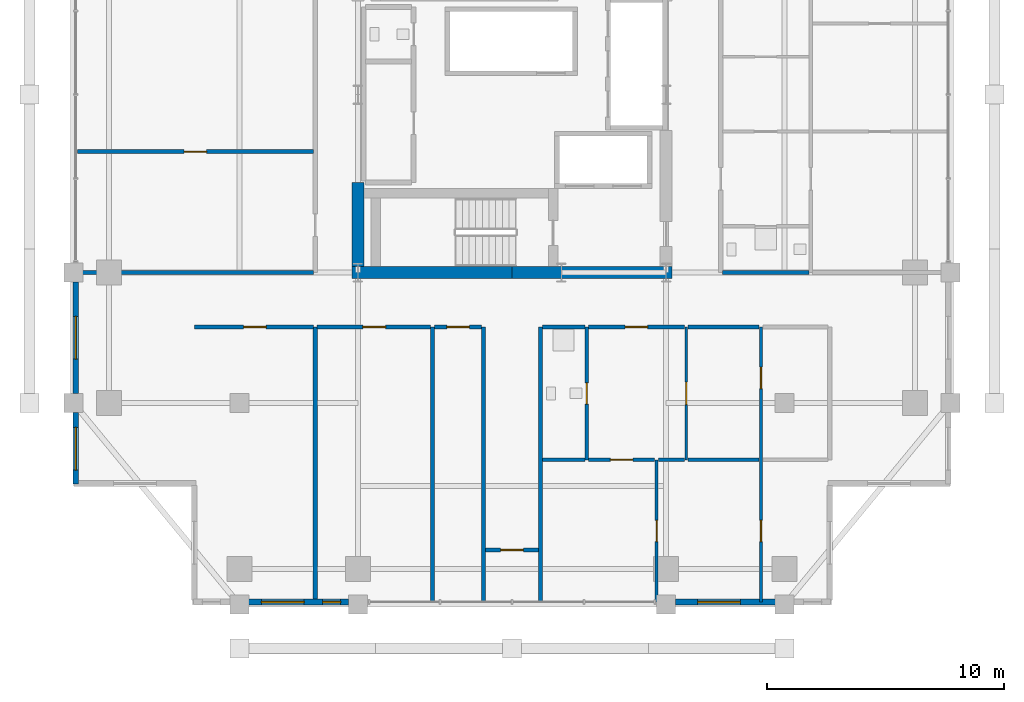
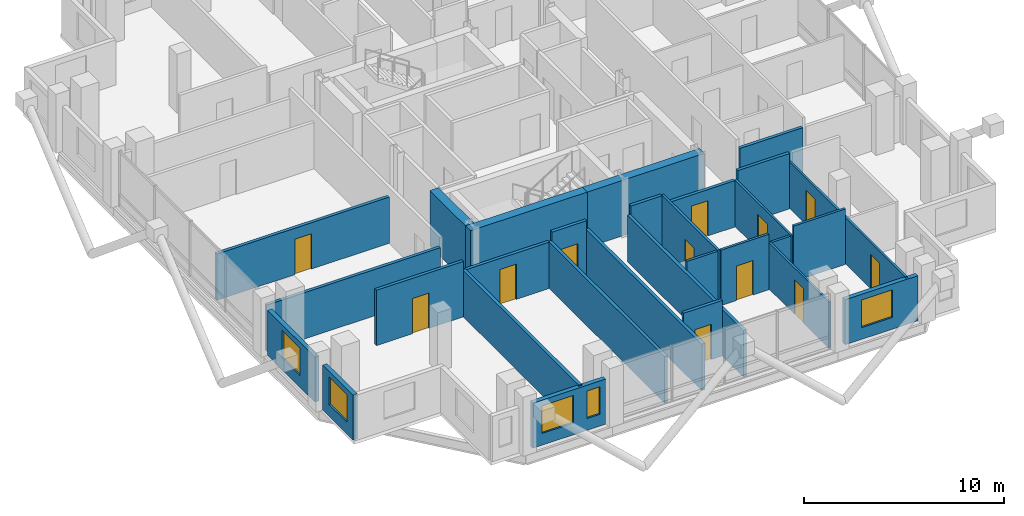
# One storey, part 18 of 24: 29 walls, 12 doors, 5 windows, 17 openings.
"""IFC4 building model written with IfcOpenShell, lengths in metres."""

import ifcopenshell
import ifcopenshell.guid

model = None  # the IFC model being written
_history = None  # IfcOwnerHistory: only IFC2X3 demands one
_inside = {}  # id of a spatial element -> (the spatial element, [elements in it])
_under = {}  # id of a project, library or spatial element -> (it, [spatial elements below it])
_declared = {}  # id of a project -> (the project, [libraries it declares])
_typed = {}  # id of a type object -> (the type object, [elements of that type])
_made_of = {}  # id of a material, layer set ... -> (it, [elements and type objects made of it])


def new_model(schema):
    """Start an empty IFC model of exactly this schema.

    Asked for "IFC4X3", IfcOpenShell would pick the latest addendum, in which some entities
    have other attributes; the version numbers below select the first issue.
    IFC2X3 requires an IfcOwnerHistory on every rooted entity: one is made here for all.
    """
    global model, _history
    if schema == "IFC4X3":
        model = ifcopenshell.file(schema_version=(4, 3, 0, 0))
    else:
        model = ifcopenshell.file(schema=schema)
    _inside.clear()
    _under.clear()
    _declared.clear()
    _typed.clear()
    _made_of.clear()
    _history = None
    if model.schema == "IFC2X3":
        org = make("IfcOrganization", Name="unknown")
        user = make(
            "IfcPersonAndOrganization",
            ThePerson=make("IfcPerson", FamilyName="unknown"),
            TheOrganization=org,
        )
        app = make(
            "IfcApplication",
            ApplicationDeveloper=org,
            Version="unknown",
            ApplicationFullName="unknown",
            ApplicationIdentifier="unknown",
        )
        _history = make(
            "IfcOwnerHistory",
            OwningUser=user,
            OwningApplication=app,
            ChangeAction="ADDED",
            CreationDate=0,
        )
    return model


def make(cls, **values):
    """One entity of the class cls with the attributes given. An attribute that is None is left unset."""
    return model.create_entity(
        cls, **{name: value for name, value in values.items() if value is not None}
    )


def rooted(cls, **values):
    """An entity with a GlobalId (a new one), such as an element, a storey or a relation."""
    return make(cls, GlobalId=ifcopenshell.guid.new(), OwnerHistory=_history, **values)


def si_unit(unit_type, name, prefix=None):
    """IfcSIUnit, for example si_unit("LENGTHUNIT", "METRE", prefix="MILLI")."""
    return make("IfcSIUnit", UnitType=unit_type, Prefix=prefix, Name=name)


def assignment(units):
    """IfcUnitAssignment: the units of a project."""
    return None if units is None else make("IfcUnitAssignment", Units=units)


def point(xyz):
    """IfcCartesianPoint."""
    return None if xyz is None else make("IfcCartesianPoint", Coordinates=xyz)


def direction(xyz):
    """IfcDirection."""
    return None if xyz is None else make("IfcDirection", DirectionRatios=xyz)


def frame(location, z_axis=None, x_axis=None):
    """IfcAxis2Placement3D, a coordinate frame: its origin and axes. An axis left out is left unset."""
    return make(
        "IfcAxis2Placement3D",
        Location=point(location),
        Axis=direction(z_axis),
        RefDirection=direction(x_axis),
    )


def frame_2d(location, x_axis=None):
    """IfcAxis2Placement2D, a coordinate frame in the plane: its origin and x axis."""
    return make(
        "IfcAxis2Placement2D", Location=point(location), RefDirection=direction(x_axis)
    )


def origin():
    """The frame at (0, 0, 0) with its axes left unset."""
    return frame((0.0, 0.0, 0.0))


def place(relative_to, where):
    """IfcLocalPlacement: puts the frame where relative to a parent placement (None: the world)."""
    return make(
        "IfcLocalPlacement", PlacementRelTo=relative_to, RelativePlacement=where
    )


def context(
    kind, dimensions, precision=None, world=None, true_north=None, identifier=None
):
    """IfcGeometricRepresentationContext, for example the 3D "Model" context."""
    return make(
        "IfcGeometricRepresentationContext",
        ContextIdentifier=identifier,
        ContextType=kind,
        CoordinateSpaceDimension=dimensions,
        Precision=precision,
        WorldCoordinateSystem=world,
        TrueNorth=true_north,
    )


def subcontext(parent, identifier, kind, view, scale=None):
    """IfcGeometricRepresentationSubContext, for example "Body" below "Model"."""
    return make(
        "IfcGeometricRepresentationSubContext",
        ContextIdentifier=identifier,
        ContextType=kind,
        ParentContext=parent,
        TargetScale=scale,
        TargetView=view,
    )


def project(units=None, contexts=None):
    """IfcProject with its units and contexts."""
    return rooted(
        "IfcProject",
        Name="project",
        RepresentationContexts=contexts,
        UnitsInContext=assignment(units),
    )


def spatial(cls, under=None, at=None, **own):
    """A site, building, storey or space (cls), placed at a placement, below another one or the project."""
    s = rooted(cls, ObjectPlacement=at, **own)
    if under is not None:
        _under.setdefault(under.id(), (under, []))[1].append(s)
    return s


def profile(cls, at=None, kind="AREA", **sizes):
    """A parametric profile (cls). Its sizes go by their IFC names, for example OverallWidth=200.0."""
    return make(cls, ProfileType=kind, Position=at, **sizes)


def rectangle(**sizes):
    """IfcRectangleProfileDef."""
    return profile("IfcRectangleProfileDef", **sizes)


def extrude(swept, where, along, depth):
    """IfcExtrudedAreaSolid: the profile swept, set in the frame where, extruded along a direction by depth."""
    return make(
        "IfcExtrudedAreaSolid",
        SweptArea=swept,
        Position=where,
        ExtrudedDirection=direction(along),
        Depth=depth,
    )


def shape(context_of_items, identifier, shape_type, items):
    """IfcShapeRepresentation: the items that make up one representation, for example the "Body"."""
    return make(
        "IfcShapeRepresentation",
        ContextOfItems=context_of_items,
        RepresentationIdentifier=identifier,
        RepresentationType=shape_type,
        Items=items,
    )


def material(Name=None, Category=None):
    """IfcMaterial."""
    return make("IfcMaterial", Name=Name, Category=Category)


def layer(
    of_material, thickness, ventilated=None, Name=None, Category=None, Priority=None
):
    """IfcMaterialLayer: one layer of a wall or slab, of a material (None: an air gap)."""
    return make(
        "IfcMaterialLayer",
        Material=of_material,
        LayerThickness=thickness,
        IsVentilated=ventilated,
        Name=Name,
        Category=Category,
        Priority=Priority,
    )


def layer_set(layers, Name=None):
    """IfcMaterialLayerSet."""
    return make("IfcMaterialLayerSet", MaterialLayers=layers, LayerSetName=Name)


def made_of(thing, what):
    """Note that an element or type object is made of a material, layer set ...; save() writes the relation."""
    if what is not None:
        _made_of.setdefault(what.id(), (what, []))[1].append(thing)
    return thing


def type_object(cls, material=None, **own):
    """A type object (cls), such as IfcWallType, which elements share."""
    return made_of(rooted(cls, **own), material)


def element(
    cls,
    number,
    at=None,
    inside=None,
    cuts=None,
    type_object=None,
    material=None,
    context=None,
    identifier="Body",
    shape_type=None,
    held_by="IfcProductDefinitionShape",
    body=None,
    shapes=None,
    **own,
):
    """One element of the class cls, such as IfcWall. Its Tag is "e" and its number.

    at: its placement. inside: the storey or other place that contains it. cuts: it is an
    opening in that element (IfcRelVoidsElement). A single representation is given by context,
    identifier, shape_type and body (its items); several are given by shapes. held_by: the class
    of the entity that holds the representations. save() writes the other relations.
    """
    e = rooted(cls, Tag="e%d" % number, ObjectPlacement=at, **own)
    if body is not None:
        shapes = [shape(context, identifier, shape_type, body)]
    if shapes is not None:
        e.Representation = make(held_by, Representations=shapes)
    if inside is not None:
        _inside.setdefault(inside.id(), (inside, []))[1].append(e)
    if cuts is not None:
        rooted(
            "IfcRelVoidsElement", RelatingBuildingElement=cuts, RelatedOpeningElement=e
        )
    if type_object is not None:
        _typed.setdefault(type_object.id(), (type_object, []))[1].append(e)
    return made_of(e, material)


def fill(opening, filler):
    """IfcRelFillsElement: the door or window that sits in an opening."""
    return rooted(
        "IfcRelFillsElement",
        RelatingOpeningElement=opening,
        RelatedBuildingElement=filler,
    )


def aggregate(whole, parts):
    """IfcRelAggregates: a whole, such as a stair, and the parts it consists of."""
    return rooted("IfcRelAggregates", RelatingObject=whole, RelatedObjects=parts)


def save(model, path):
    """Write the relations noted so far, then the file.

    IfcRelAggregates (storeys below a building ...), IfcRelContainedInSpatialStructure (elements
    in a storey), IfcRelDefinesByType, IfcRelAssociatesMaterial and IfcRelDeclares: one each for
    every whole, place, type object, material and project.
    """
    for whole, parts in _under.values():
        aggregate(whole, parts)
    for where, things in _inside.values():
        rooted(
            "IfcRelContainedInSpatialStructure",
            RelatedElements=things,
            RelatingStructure=where,
        )
    for kind, things in _typed.values():
        rooted("IfcRelDefinesByType", RelatedObjects=things, RelatingType=kind)
    for what, things in _made_of.values():
        rooted("IfcRelAssociatesMaterial", RelatedObjects=things, RelatingMaterial=what)
    for by, libraries in _declared.values():
        rooted("IfcRelDeclares", RelatingContext=by, RelatedDefinitions=libraries)
    model.write(path)


model = new_model("IFC4")

# Units and contexts
model_context = context("Model", 3, precision=1e-05, world=origin(), true_north=direction((0.0, 1.0)))
body_context = subcontext(model_context, "Body", "Model", "MODEL_VIEW")
ifc_project = project(units=[si_unit("LENGTHUNIT", "METRE"), si_unit("AREAUNIT", "SQUARE_METRE"), si_unit("VOLUMEUNIT", "CUBIC_METRE"), si_unit("PLANEANGLEUNIT", "RADIAN"), si_unit("MASSUNIT", "GRAM", prefix="KILO")], contexts=[model_context])

# Site, building, storey
site_placement = place(None, origin())
site = spatial("IfcSite", under=ifc_project, at=site_placement, CompositionType="ELEMENT")
building_placement = place(site_placement, origin())
building = spatial("IfcBuilding", under=site, at=building_placement, Name="Barlavira Tower and Art Museum", CompositionType="ELEMENT")
storey_placement = place(building_placement, frame((0.0, 0.0, 172.800048828125)))
storey = spatial("IfcBuildingStorey", under=building, at=storey_placement, Name="L44", CompositionType="ELEMENT", Elevation=172.800048828125)

# Wall, opening, door
ifc_material_1 = material(Name="Gypsum acoustic stud partition", Category="gypsum")
ifc_layer_1 = layer(ifc_material_1, 0.1201171875, Name="Gypsum acoustic stud partition")
ifc_layer_set_1 = layer_set([ifc_layer_1], Name="Gypsum acoustic stud partition")
wall_type_1 = type_object("IfcWallType", Name="Apartment Internal Acoustic Partition 120", PredefinedType="PARTITIONING", material=ifc_layer_set_1)
wall_1_placement = place(storey_placement, frame((6.10009765625, -21.39990234375, 0.0), z_axis=(0.0, 0.0, 1.0), x_axis=(0.0, 1.0, 0.0)))
wall_1 = element("IfcWall", 1, at=wall_1_placement, inside=storey, type_object=wall_type_1, Name="L44 Partition Wall 15", PredefinedType="PARTITIONING", context=body_context, shape_type="SweptSolid", body=[
    extrude(rectangle(XDim=6.0, YDim=0.1201171875, at=frame_2d((3.0, 0.0))), origin(), (0.0, 0.0, 1.0), 2.825927734375),
])
opening_1_placement = place(wall_1_placement, frame((2.550048828125, 0.0, 0.0)))
opening_1 = element("IfcOpeningElement", 2, at=opening_1_placement, cuts=wall_1, Name="Opening D-01", PredefinedType="OPENING", context=body_context, shape_type="SweptSolid", body=[
    extrude(rectangle(XDim=0.89990234375, YDim=2.10009765625, at=frame_2d((0.449951171875, 1.050048828125))), frame((0.0, 0.070068359375, 0.0), z_axis=(0.0, -1.0, 0.0), x_axis=(1.0, 0.0, 0.0)), (0.0, 0.0, 1.0), 0.14013671875),
])
ifc_material_2 = material(Name="Engineered coastal hardwood", Category="wood")
door_type_1 = type_object("IfcDoorType", Name="Internal Bedroom Timber Flush Door 900x2100", OperationType="NOTDEFINED", PredefinedType="DOOR", material=ifc_material_2)
door_1_placement = place(opening_1_placement, origin())
door_1 = element("IfcDoor", 3, at=door_1_placement, inside=storey, type_object=door_type_1, Name="Apartment SE1 Bedroom 1 Door", OperationType="SINGLE_SWING_LEFT", OverallHeight=2.10009765625, OverallWidth=0.89990234375, PredefinedType="DOOR", context=body_context, shape_type="SweptSolid", body=[
    extrude(rectangle(XDim=0.89990234375, YDim=2.10009765625, at=frame_2d((0.449951171875, 1.050048828125))), frame((0.0, 0.02490234375, 0.0), z_axis=(0.0, -1.0, 0.0), x_axis=(1.0, 0.0, 0.0)), (0.0, 0.0, 1.0), 0.050048828125),
])
fill(opening_1, door_1)

wall_2_placement = place(storey_placement, frame((7.35009765625, -15.39990234375, 0.0), z_axis=(0.0, 0.0, 1.0), x_axis=(0.0, 1.0, 0.0)))
wall_2 = element("IfcWall", 4, at=wall_2_placement, inside=storey, type_object=wall_type_1, Name="L44 Partition Wall 17", PredefinedType="PARTITIONING", context=body_context, shape_type="SweptSolid", body=[
    extrude(rectangle(XDim=5.599853515625, YDim=0.1201171875, at=frame_2d((2.7998046875, 0.0))), origin(), (0.0, 0.0, 1.0), 2.825927734375),
])
opening_2_placement = place(wall_2_placement, frame((2.324951171875, 0.0, 0.0)))
opening_2 = element("IfcOpeningElement", 5, at=opening_2_placement, cuts=wall_2, Name="Opening D-02", PredefinedType="OPENING", context=body_context, shape_type="SweptSolid", body=[
    extrude(rectangle(XDim=0.949951171875, YDim=2.10009765625, at=frame_2d((0.47509765625, 1.050048828125))), frame((0.0, 0.070068359375, 0.0), z_axis=(0.0, -1.0, 0.0), x_axis=(1.0, 0.0, 0.0)), (0.0, 0.0, 1.0), 0.14013671875),
])
door_type_2 = type_object("IfcDoorType", Name="Living and Salon Glazed-Leaf Door 950x2100", OperationType="NOTDEFINED", PredefinedType="DOOR", material=ifc_material_2)
door_2_placement = place(opening_2_placement, origin())
door_2 = element("IfcDoor", 6, at=door_2_placement, inside=storey, type_object=door_type_2, Name="Apartment SE1 Kitchen Door", OperationType="SINGLE_SWING_RIGHT", OverallHeight=2.10009765625, OverallWidth=0.949951171875, PredefinedType="DOOR", context=body_context, shape_type="SweptSolid", body=[
    extrude(rectangle(XDim=0.949951171875, YDim=2.10009765625, at=frame_2d((0.47509765625, 1.050048828125))), frame((0.0, 0.02490234375, 0.0), z_axis=(0.0, -1.0, 0.0), x_axis=(1.0, 0.0, 0.0)), (0.0, 0.0, 1.0), 0.050048828125),
])
fill(opening_2, door_2)

# Wall, openings, doors
wall_3_placement = place(storey_placement, frame((10.5, -21.39990234375, 0.0), z_axis=(0.0, 0.0, 1.0), x_axis=(0.0, 1.0, 0.0)))
wall_3 = element("IfcWall", 7, at=wall_3_placement, inside=storey, type_object=wall_type_1, Name="L44 Partition Wall 20", PredefinedType="PARTITIONING", context=body_context, shape_type="SweptSolid", body=[
    extrude(rectangle(XDim=11.599853515625, YDim=0.1201171875, at=frame_2d((5.7998046875, 0.0))), origin(), (0.0, 0.0, 1.0), 2.825927734375),
])
opening_3_placement = place(wall_3_placement, frame((9.005859375, 0.0, 0.0)))
opening_3 = element("IfcOpeningElement", 8, at=opening_3_placement, cuts=wall_3, Name="Opening D-01", PredefinedType="OPENING", context=body_context, shape_type="SweptSolid", body=[
    extrude(rectangle(XDim=0.89990234375, YDim=2.10009765625, at=frame_2d((0.449951171875, 1.050048828125))), frame((0.0, 0.070068359375, 0.0), z_axis=(0.0, -1.0, 0.0), x_axis=(1.0, 0.0, 0.0)), (0.0, 0.0, 1.0), 0.14013671875),
])
opening_4_placement = place(wall_3_placement, frame((2.550048828125, 0.0, 0.0)))
opening_4 = element("IfcOpeningElement", 9, at=opening_4_placement, cuts=wall_3, Name="Opening D-01", PredefinedType="OPENING", context=body_context, shape_type="SweptSolid", body=[
    extrude(rectangle(XDim=0.89990234375, YDim=2.10009765625, at=frame_2d((0.449951171875, 1.050048828125))), frame((0.0, 0.070068359375, 0.0), z_axis=(0.0, -1.0, 0.0), x_axis=(1.0, 0.0, 0.0)), (0.0, 0.0, 1.0), 0.14013671875),
])
door_3_placement = place(opening_3_placement, origin())
door_3 = element("IfcDoor", 10, at=door_3_placement, inside=storey, type_object=door_type_1, Name="Apartment SE1 Walk-In Dressing Room Door", OperationType="SINGLE_SWING_LEFT", OverallHeight=2.10009765625, OverallWidth=0.89990234375, PredefinedType="DOOR", context=body_context, shape_type="SweptSolid", body=[
    extrude(rectangle(XDim=0.89990234375, YDim=2.10009765625, at=frame_2d((0.449951171875, 1.050048828125))), frame((0.0, 0.02490234375, 0.0), z_axis=(0.0, -1.0, 0.0), x_axis=(1.0, 0.0, 0.0)), (0.0, 0.0, 1.0), 0.050048828125),
])
fill(opening_3, door_3)
door_4_placement = place(opening_4_placement, origin())
door_4 = element("IfcDoor", 11, at=door_4_placement, inside=storey, type_object=door_type_1, Name="Apartment SE1 Bedroom 2 Door", OperationType="SINGLE_SWING_RIGHT", OverallHeight=2.10009765625, OverallWidth=0.89990234375, PredefinedType="DOOR", context=body_context, shape_type="SweptSolid", body=[
    extrude(rectangle(XDim=0.89990234375, YDim=2.10009765625, at=frame_2d((0.449951171875, 1.050048828125))), frame((0.0, 0.02490234375, 0.0), z_axis=(0.0, -1.0, 0.0), x_axis=(1.0, 0.0, 0.0)), (0.0, 0.0, 1.0), 0.050048828125),
])
fill(opening_4, door_4)

# Walls
ifc_material_3 = material(Name="Concrete C60", Category="concrete")
ifc_layer_2 = layer(ifc_material_3, 0.5, Name="Concrete C60")
ifc_layer_set_2 = layer_set([ifc_layer_2], Name="Concrete C60")
wall_type_2 = type_object("IfcWallType", Name="Core Structural Shear Wall 500 Concrete C60", PredefinedType="SHEAR", material=ifc_layer_set_2)
for number, where, z_axis, x_axis, name in (
    (12, (-6.75, -7.5, 0.0), (0.0, 0.0, 1.0), (1.0, 0.0, 0.0), "L44 Core Shear Wall CS-SW"),
    (13, (0.0, -7.5, 0.0), (0.0, 0.0, 1.0), (1.0, 0.0, 0.0), "L44 Core Shear Wall CS-SE"),
):
    element("IfcWall", number, at=place(storey_placement, frame(where, z_axis=z_axis, x_axis=x_axis)), inside=storey, type_object=wall_type_2, Name=name, PredefinedType="SHEAR", context=body_context, shape_type="SweptSolid", body=[
        extrude(rectangle(XDim=6.75, YDim=0.5, at=frame_2d((3.375, 0.0))), origin(), (0.0, 0.0, 1.0), 3.3798828125),
    ])
wall_4_placement = place(storey_placement, frame((-6.5, -7.25, 0.0), z_axis=(0.0, 0.0, 1.0), x_axis=(0.0, 1.0, 0.0)))
element("IfcWall", 14, at=wall_4_placement, inside=storey, type_object=wall_type_2, Name="L44 Core Shear Wall CS-W1", PredefinedType="SHEAR", context=body_context, shape_type="SweptSolid", body=[
    extrude(rectangle(XDim=3.550048828125, YDim=0.5, at=frame_2d((1.77490234375, 0.0))), origin(), (0.0, 0.0, 1.0), 3.3798828125),
])
ifc_layer_3 = layer(ifc_material_1, 0.179931640625, Name="Gypsum acoustic stud partition")
ifc_layer_set_3 = layer_set([ifc_layer_3], Name="Gypsum acoustic stud partition")
wall_type_3 = type_object("IfcWallType", Name="Inter-Tenancy Party Partition Wall 180", PredefinedType="PARTITIONING", material=ifc_layer_set_3)
for number, where, z_axis, x_axis, name in (
    (15, (-8.300048828125, -21.39990234375, 0.0), (0.0, 0.0, 1.0), (0.0, 1.0, 0.0), "L44 Partition Wall 1"),
    (16, (-3.35009765625, -21.39990234375, 0.0), (0.0, 0.0, 1.0), (0.0, 1.0, 0.0), "L44 Partition Wall 6"),
    (17, (-1.199951171875, -21.39990234375, 0.0), (0.0, 0.0, 1.0), (0.0, 1.0, 0.0), "L44 Partition Wall 8"),
    (18, (1.199951171875, -21.39990234375, 0.0), (0.0, 0.0, 1.0), (0.0, 1.0, 0.0), "L44 Partition Wall 10"),
):
    element("IfcWall", number, at=place(storey_placement, frame(where, z_axis=z_axis, x_axis=x_axis)), inside=storey, type_object=wall_type_3, Name=name, PredefinedType="PARTITIONING", context=body_context, shape_type="SweptSolid", body=[
        extrude(rectangle(XDim=11.599853515625, YDim=0.179931640625, at=frame_2d((5.7998046875, 0.0))), origin(), (0.0, 0.0, 1.0), 2.825927734375),
    ])

# Wall, opening, door
wall_5_placement = place(storey_placement, frame((-1.1201171875, -19.199951171875, 0.0), z_axis=(0.0, 0.0, 1.0), x_axis=(1.0, 0.0, 0.0)))
wall_5 = element("IfcWall", 19, at=wall_5_placement, inside=storey, type_object=wall_type_3, Name="L44 Partition Wall 25", PredefinedType="PARTITIONING", context=body_context, shape_type="SweptSolid", body=[
    extrude(rectangle(XDim=2.240234375, YDim=0.179931640625, at=frame_2d((1.1201171875, 0.0))), origin(), (0.0, 0.0, 1.0), 3.3798828125),
])
opening_5_placement = place(wall_5_placement, frame((0.64501953125, 0.0, 0.0)))
opening_5 = element("IfcOpeningElement", 20, at=opening_5_placement, cuts=wall_5, Name="Opening FD-60", PredefinedType="OPENING", context=body_context, shape_type="SweptSolid", body=[
    extrude(rectangle(XDim=0.949951171875, YDim=2.14990234375, at=frame_2d((0.47509765625, 1.074951171875))), frame((0.0, 0.10009765625, 0.0), z_axis=(0.0, -1.0, 0.0), x_axis=(1.0, 0.0, 0.0)), (0.0, 0.0, 1.0), 0.199951171875),
])
ifc_material_4 = material(Name="Brushed stainless steel", Category="steel")
door_type_3 = type_object("IfcDoorType", Name="Apartment Entrance and Riser Fire Door 950x2150 FD60S", OperationType="NOTDEFINED", PredefinedType="DOOR", material=ifc_material_4)
door_5_placement = place(opening_5_placement, origin())
door_5 = element("IfcDoor", 21, at=door_5_placement, inside=storey, type_object=door_type_3, Name="L44 South Horizon Reading Alcove Door", OperationType="SINGLE_SWING_RIGHT", OverallHeight=2.14990234375, OverallWidth=0.949951171875, PredefinedType="DOOR", context=body_context, shape_type="SweptSolid", body=[
    extrude(rectangle(XDim=0.949951171875, YDim=2.14990234375, at=frame_2d((0.47509765625, 1.074951171875))), frame((0.0, 0.02490234375, 0.0), z_axis=(0.0, -1.0, 0.0), x_axis=(1.0, 0.0, 0.0)), (0.0, 0.0, 1.0), 0.050048828125),
])
fill(opening_5, door_5)

wall_6_placement = place(storey_placement, frame((-13.39990234375, -9.800048828125, 0.0), z_axis=(0.0, 0.0, 1.0), x_axis=(1.0, 0.0, 0.0)))
wall_6 = element("IfcWall", 22, at=wall_6_placement, inside=storey, type_object=wall_type_3, Name="L44 Partition Wall 31", PredefinedType="PARTITIONING", context=body_context, shape_type="SweptSolid", body=[
    extrude(rectangle(XDim=5.02001953125, YDim=0.179931640625, at=frame_2d((2.510009765625, 0.0))), origin(), (0.0, 0.0, 1.0), 3.3798828125),
])
opening_6_placement = place(wall_6_placement, frame((2.0849609375, 0.0, 0.0)))
opening_6 = element("IfcOpeningElement", 23, at=opening_6_placement, cuts=wall_6, Name="Opening FD-60", PredefinedType="OPENING", context=body_context, shape_type="SweptSolid", body=[
    extrude(rectangle(XDim=0.949951171875, YDim=2.14990234375, at=frame_2d((0.47509765625, 1.074951171875))), frame((0.0, 0.10009765625, 0.0), z_axis=(0.0, -1.0, 0.0), x_axis=(1.0, 0.0, 0.0)), (0.0, 0.0, 1.0), 0.199951171875),
])
door_6_placement = place(opening_6_placement, origin())
door_6 = element("IfcDoor", 24, at=door_6_placement, inside=storey, type_object=door_type_3, Name="Resident Sky Coworking Studio Door", OperationType="SINGLE_SWING_LEFT", OverallHeight=2.14990234375, OverallWidth=0.949951171875, PredefinedType="DOOR", context=body_context, shape_type="SweptSolid", body=[
    extrude(rectangle(XDim=0.949951171875, YDim=2.14990234375, at=frame_2d((0.47509765625, 1.074951171875))), frame((0.0, 0.02490234375, 0.0), z_axis=(0.0, -1.0, 0.0), x_axis=(1.0, 0.0, 0.0)), (0.0, 0.0, 1.0), 0.050048828125),
])
fill(opening_6, door_6)

wall_7_placement = place(storey_placement, frame((-8.219970703125, -9.800048828125, 0.0), z_axis=(0.0, 0.0, 1.0), x_axis=(1.0, 0.0, 0.0)))
wall_7 = element("IfcWall", 25, at=wall_7_placement, inside=storey, type_object=wall_type_3, Name="L44 Partition Wall 32", PredefinedType="PARTITIONING", context=body_context, shape_type="SweptSolid", body=[
    extrude(rectangle(XDim=4.7900390625, YDim=0.179931640625, at=frame_2d((2.39501953125, 0.0))), origin(), (0.0, 0.0, 1.0), 2.825927734375),
])
opening_7_placement = place(wall_7_placement, frame((1.93505859375, 0.0, 0.0)))
opening_7 = element("IfcOpeningElement", 26, at=opening_7_placement, cuts=wall_7, Name="Opening FD-60", PredefinedType="OPENING", context=body_context, shape_type="SweptSolid", body=[
    extrude(rectangle(XDim=0.949951171875, YDim=2.14990234375, at=frame_2d((0.47509765625, 1.074951171875))), frame((0.0, 0.10009765625, 0.0), z_axis=(0.0, -1.0, 0.0), x_axis=(1.0, 0.0, 0.0)), (0.0, 0.0, 1.0), 0.199951171875),
])
door_7_placement = place(opening_7_placement, origin())
door_7 = element("IfcDoor", 27, at=door_7_placement, inside=storey, type_object=door_type_3, Name="Atlantic Horizon Boardroom Door", OperationType="SINGLE_SWING_RIGHT", OverallHeight=2.14990234375, OverallWidth=0.949951171875, PredefinedType="DOOR", context=body_context, shape_type="SweptSolid", body=[
    extrude(rectangle(XDim=0.949951171875, YDim=2.14990234375, at=frame_2d((0.47509765625, 1.074951171875))), frame((0.0, 0.02490234375, 0.0), z_axis=(0.0, -1.0, 0.0), x_axis=(1.0, 0.0, 0.0)), (0.0, 0.0, 1.0), 0.050048828125),
])
fill(opening_7, door_7)

wall_8_placement = place(storey_placement, frame((-3.27001953125, -9.800048828125, 0.0), z_axis=(0.0, 0.0, 1.0), x_axis=(1.0, 0.0, 0.0)))
wall_8 = element("IfcWall", 28, at=wall_8_placement, inside=storey, type_object=wall_type_3, Name="L44 Partition Wall 33", PredefinedType="PARTITIONING", context=body_context, shape_type="SweptSolid", body=[
    extrude(rectangle(XDim=1.989990234375, YDim=0.179931640625, at=frame_2d((0.9951171875, 0.0))), origin(), (0.0, 0.0, 1.0), 3.3798828125),
])
opening_8_placement = place(wall_8_placement, frame((0.52490234375, 0.0, 0.0)))
opening_8 = element("IfcOpeningElement", 29, at=opening_8_placement, cuts=wall_8, Name="Opening FD-60", PredefinedType="OPENING", context=body_context, shape_type="SweptSolid", body=[
    extrude(rectangle(XDim=0.949951171875, YDim=2.14990234375, at=frame_2d((0.47509765625, 1.074951171875))), frame((0.0, 0.10009765625, 0.0), z_axis=(0.0, -1.0, 0.0), x_axis=(1.0, 0.0, 0.0)), (0.0, 0.0, 1.0), 0.199951171875),
])
door_8_placement = place(opening_8_placement, origin())
door_8 = element("IfcDoor", 30, at=door_8_placement, inside=storey, type_object=door_type_3, Name="Shared Coworking Espresso Pantry Door", OperationType="SINGLE_SWING_LEFT", OverallHeight=2.14990234375, OverallWidth=0.949951171875, PredefinedType="DOOR", context=body_context, shape_type="SweptSolid", body=[
    extrude(rectangle(XDim=0.949951171875, YDim=2.14990234375, at=frame_2d((0.47509765625, 1.074951171875))), frame((0.0, 0.02490234375, 0.0), z_axis=(0.0, -1.0, 0.0), x_axis=(1.0, 0.0, 0.0)), (0.0, 0.0, 1.0), 0.050048828125),
])
fill(opening_8, door_8)

# Wall
wall_9_placement = place(storey_placement, frame((1.280029296875, -9.800048828125, 0.0), z_axis=(0.0, 0.0, 1.0), x_axis=(1.0, 0.0, 0.0)))
element("IfcWall", 31, at=wall_9_placement, inside=storey, type_object=wall_type_3, Name="L44 Partition Wall 34", PredefinedType="PARTITIONING", context=body_context, shape_type="SweptSolid", body=[
    extrude(rectangle(XDim=1.7900390625, YDim=0.179931640625, at=frame_2d((0.89501953125, 0.0))), origin(), (0.0, 0.0, 1.0), 3.3798828125),
])

# Wall, opening, door
wall_10_placement = place(storey_placement, frame((3.22998046875, -9.800048828125, 0.0), z_axis=(0.0, 0.0, 1.0), x_axis=(1.0, 0.0, 0.0)))
wall_10 = element("IfcWall", 32, at=wall_10_placement, inside=storey, type_object=wall_type_3, Name="L44 Partition Wall 35", PredefinedType="PARTITIONING", context=body_context, shape_type="SweptSolid", body=[
    extrude(rectangle(XDim=4.0400390625, YDim=0.179931640625, at=frame_2d((2.02001953125, 0.0))), origin(), (0.0, 0.0, 1.0), 2.825927734375),
])
opening_9_placement = place(wall_10_placement, frame((1.544921875, 0.0, 0.0)))
opening_9 = element("IfcOpeningElement", 33, at=opening_9_placement, cuts=wall_10, Name="Opening FD-60", PredefinedType="OPENING", context=body_context, shape_type="SweptSolid", body=[
    extrude(rectangle(XDim=0.949951171875, YDim=2.14990234375, at=frame_2d((0.47509765625, 1.074951171875))), frame((0.0, 0.10009765625, 0.0), z_axis=(0.0, -1.0, 0.0), x_axis=(1.0, 0.0, 0.0)), (0.0, 0.0, 1.0), 0.199951171875),
])
door_9_placement = place(opening_9_placement, origin())
door_9 = element("IfcDoor", 34, at=door_9_placement, inside=storey, type_object=door_type_3, Name="Apartment Entrance Hall SE1 Door", OperationType="SINGLE_SWING_LEFT", OverallHeight=2.14990234375, OverallWidth=0.949951171875, PredefinedType="DOOR", context=body_context, shape_type="SweptSolid", body=[
    extrude(rectangle(XDim=0.949951171875, YDim=2.14990234375, at=frame_2d((0.47509765625, 1.074951171875))), frame((0.0, 0.02490234375, 0.0), z_axis=(0.0, -1.0, 0.0), x_axis=(1.0, 0.0, 0.0)), (0.0, 0.0, 1.0), 0.050048828125),
])
fill(opening_9, door_9)

# Walls
wall_11_placement = place(storey_placement, frame((7.429931640625, -9.800048828125, 0.0), z_axis=(0.0, 0.0, 1.0), x_axis=(1.0, 0.0, 0.0)))
element("IfcWall", 35, at=wall_11_placement, inside=storey, type_object=wall_type_3, Name="L44 Partition Wall 36", PredefinedType="PARTITIONING", context=body_context, shape_type="SweptSolid", body=[
    extrude(rectangle(XDim=2.989990234375, YDim=0.179931640625, at=frame_2d((1.4951171875, 0.0))), origin(), (0.0, 0.0, 1.0), 3.3798828125),
])
wall_12_placement = place(storey_placement, frame((-18.39990234375, -7.5, 0.0), z_axis=(0.0, 0.0, 1.0), x_axis=(1.0, 0.0, 0.0)))
element("IfcWall", 36, at=wall_12_placement, inside=storey, type_object=wall_type_3, Name="L44 Partition Wall 38", PredefinedType="PARTITIONING", context=body_context, shape_type="SweptSolid", body=[
    extrude(rectangle(XDim=10.02001953125, YDim=0.179931640625, at=frame_2d((5.010009765625, 0.0))), origin(), (0.0, 0.0, 1.0), 2.825927734375),
])
wall_13_placement = place(storey_placement, frame((8.8798828125, -7.5, 0.0), z_axis=(0.0, 0.0, 1.0), x_axis=(1.0, 0.0, 0.0)))
element("IfcWall", 37, at=wall_13_placement, inside=storey, type_object=wall_type_3, Name="L44 Partition Wall 39", PredefinedType="PARTITIONING", context=body_context, shape_type="SweptSolid", body=[
    extrude(rectangle(XDim=3.64013671875, YDim=0.179931640625, at=frame_2d((1.820068359375, 0.0))), origin(), (0.0, 0.0, 1.0), 2.825927734375),
])

# Wall, opening, door
wall_14_placement = place(storey_placement, frame((-18.320068359375, -2.39990234375, 0.0), z_axis=(0.0, 0.0, 1.0), x_axis=(1.0, 0.0, 0.0)))
wall_14 = element("IfcWall", 38, at=wall_14_placement, inside=storey, type_object=wall_type_3, Name="L44 Partition Wall 43", PredefinedType="PARTITIONING", context=body_context, shape_type="SweptSolid", body=[
    extrude(rectangle(XDim=9.940185546875, YDim=0.179931640625, at=frame_2d((4.97021484375, 0.0))), origin(), (0.0, 0.0, 1.0), 2.825927734375),
])
opening_10_placement = place(wall_14_placement, frame((4.4951171875, 0.0, 0.0)))
opening_10 = element("IfcOpeningElement", 39, at=opening_10_placement, cuts=wall_14, Name="Opening FD-60", PredefinedType="OPENING", context=body_context, shape_type="SweptSolid", body=[
    extrude(rectangle(XDim=0.949951171875, YDim=2.14990234375, at=frame_2d((0.47509765625, 1.074951171875))), frame((0.0, 0.10009765625, 0.0), z_axis=(0.0, -1.0, 0.0), x_axis=(1.0, 0.0, 0.0)), (0.0, 0.0, 1.0), 0.199951171875),
])
door_10_placement = place(opening_10_placement, origin())
door_10 = element("IfcDoor", 40, at=door_10_placement, inside=storey, type_object=door_type_3, Name="Private Coastal Dining Salon Door", OperationType="SINGLE_SWING_RIGHT", OverallHeight=2.14990234375, OverallWidth=0.949951171875, PredefinedType="DOOR", context=body_context, shape_type="SweptSolid", body=[
    extrude(rectangle(XDim=0.949951171875, YDim=2.14990234375, at=frame_2d((0.47509765625, 1.074951171875))), frame((0.0, 0.02490234375, 0.0), z_axis=(0.0, -1.0, 0.0), x_axis=(1.0, 0.0, 0.0)), (0.0, 0.0, 1.0), 0.050048828125),
])
fill(opening_10, door_10)

ifc_layer_4 = layer(ifc_material_1, 0.139892578125, Name="Gypsum acoustic stud partition")
ifc_layer_set_4 = layer_set([ifc_layer_4], Name="Gypsum acoustic stud partition")
wall_type_4 = type_object("IfcWallType", Name="Moisture-Resistant Bathroom Partition 140", PredefinedType="PARTITIONING", material=ifc_layer_set_4)
wall_15_placement = place(storey_placement, frame((3.14990234375, -15.39990234375, 0.0), z_axis=(0.0, 0.0, 1.0), x_axis=(0.0, 1.0, 0.0)))
wall_15 = element("IfcWall", 41, at=wall_15_placement, inside=storey, type_object=wall_type_4, Name="L44 Partition Wall 12", PredefinedType="PARTITIONING", context=body_context, shape_type="SweptSolid", body=[
    extrude(rectangle(XDim=5.599853515625, YDim=0.139892578125, at=frame_2d((2.7998046875, 0.0))), origin(), (0.0, 0.0, 1.0), 3.3798828125),
])
opening_11_placement = place(wall_15_placement, frame((2.35009765625, 0.0, 0.0)))
opening_11 = element("IfcOpeningElement", 42, at=opening_11_placement, cuts=wall_15, Name="Opening D-WC", PredefinedType="OPENING", context=body_context, shape_type="SweptSolid", body=[
    extrude(rectangle(XDim=0.89990234375, YDim=2.10009765625, at=frame_2d((0.449951171875, 1.050048828125))), frame((0.0, 0.080078125, 0.0), z_axis=(0.0, -1.0, 0.0), x_axis=(1.0, 0.0, 0.0)), (0.0, 0.0, 1.0), 0.159912109375),
])
door_type_4 = type_object("IfcDoorType", Name="Accessible Bathroom Flush Door 900x2100", OperationType="NOTDEFINED", PredefinedType="DOOR", material=ifc_material_2)
door_11_placement = place(opening_11_placement, origin())
door_11 = element("IfcDoor", 43, at=door_11_placement, inside=storey, type_object=door_type_4, Name="Apartment SE1 Hall Bathroom Door", OperationType="SINGLE_SWING_RIGHT", OverallHeight=2.10009765625, OverallWidth=0.89990234375, PredefinedType="DOOR", context=body_context, shape_type="SweptSolid", body=[
    extrude(rectangle(XDim=0.89990234375, YDim=2.10009765625, at=frame_2d((0.449951171875, 1.050048828125))), frame((0.0, 0.02490234375, 0.0), z_axis=(0.0, -1.0, 0.0), x_axis=(1.0, 0.0, 0.0)), (0.0, 0.0, 1.0), 0.050048828125),
])
fill(opening_11, door_11)

# Wall
wall_16_placement = place(storey_placement, frame((1.280029296875, -15.39990234375, 0.0), z_axis=(0.0, 0.0, 1.0), x_axis=(1.0, 0.0, 0.0)))
element("IfcWall", 44, at=wall_16_placement, inside=storey, type_object=wall_type_4, Name="L44 Partition Wall 26", PredefinedType="PARTITIONING", context=body_context, shape_type="SweptSolid", body=[
    extrude(rectangle(XDim=1.7900390625, YDim=0.139892578125, at=frame_2d((0.89501953125, 0.0))), origin(), (0.0, 0.0, 1.0), 3.3798828125),
])

# Wall, opening, door
wall_17_placement = place(storey_placement, frame((3.22998046875, -15.39990234375, 0.0), z_axis=(0.0, 0.0, 1.0), x_axis=(1.0, 0.0, 0.0)))
wall_17 = element("IfcWall", 45, at=wall_17_placement, inside=storey, type_object=wall_type_4, Name="L44 Partition Wall 27", PredefinedType="PARTITIONING", context=body_context, shape_type="SweptSolid", body=[
    extrude(rectangle(XDim=2.7900390625, YDim=0.139892578125, at=frame_2d((1.39501953125, 0.0))), origin(), (0.0, 0.0, 1.0), 3.3798828125),
])
opening_12_placement = place(wall_17_placement, frame((0.9150390625, 0.0, 0.0)))
opening_12 = element("IfcOpeningElement", 46, at=opening_12_placement, cuts=wall_17, Name="Opening D-02", PredefinedType="OPENING", context=body_context, shape_type="SweptSolid", body=[
    extrude(rectangle(XDim=0.949951171875, YDim=2.10009765625, at=frame_2d((0.47509765625, 1.050048828125))), frame((0.0, 0.080078125, 0.0), z_axis=(0.0, -1.0, 0.0), x_axis=(1.0, 0.0, 0.0)), (0.0, 0.0, 1.0), 0.159912109375),
])
door_12_placement = place(opening_12_placement, origin())
door_12 = element("IfcDoor", 47, at=door_12_placement, inside=storey, type_object=door_type_2, Name="Apartment SE1 Living Lounge Door", OperationType="SINGLE_SWING_RIGHT", OverallHeight=2.10009765625, OverallWidth=0.949951171875, PredefinedType="DOOR", context=body_context, shape_type="SweptSolid", body=[
    extrude(rectangle(XDim=0.949951171875, YDim=2.10009765625, at=frame_2d((0.47509765625, 1.050048828125))), frame((0.0, 0.02490234375, 0.0), z_axis=(0.0, -1.0, 0.0), x_axis=(1.0, 0.0, 0.0)), (0.0, 0.0, 1.0), 0.050048828125),
])
fill(opening_12, door_12)

# Walls
wall_18_placement = place(storey_placement, frame((6.179931640625, -15.39990234375, 0.0), z_axis=(0.0, 0.0, 1.0), x_axis=(1.0, 0.0, 0.0)))
element("IfcWall", 48, at=wall_18_placement, inside=storey, type_object=wall_type_4, Name="L44 Partition Wall 28", PredefinedType="PARTITIONING", context=body_context, shape_type="SweptSolid", body=[
    extrude(rectangle(XDim=1.090087890625, YDim=0.139892578125, at=frame_2d((0.544921875, 0.0))), origin(), (0.0, 0.0, 1.0), 2.825927734375),
])
wall_19_placement = place(storey_placement, frame((7.429931640625, -15.39990234375, 0.0), z_axis=(0.0, 0.0, 1.0), x_axis=(1.0, 0.0, 0.0)))
element("IfcWall", 49, at=wall_19_placement, inside=storey, type_object=wall_type_4, Name="L44 Partition Wall 29", PredefinedType="PARTITIONING", context=body_context, shape_type="SweptSolid", body=[
    extrude(rectangle(XDim=2.989990234375, YDim=0.139892578125, at=frame_2d((1.4951171875, 0.0))), origin(), (0.0, 0.0, 1.0), 3.3798828125),
])

# Wall, openings, windows
ifc_material_5 = material(Name="Precast concrete C40", Category="concrete")
ifc_layer_5 = layer(ifc_material_5, 0.25, Name="Precast concrete C40")
ifc_layer_set_5 = layer_set([ifc_layer_5], Name="Precast concrete C40")
wall_type_5 = type_object("IfcWallType", Name="Notched Corner Spandrel Wall 250 Precast Concrete C40", PredefinedType="SOLIDWALL", material=ifc_layer_set_5)
wall_20_placement = place(storey_placement, frame((-11.10498046875, -21.39990234375, 0.0), z_axis=(0.0, 0.0, 1.0), x_axis=(1.0, 0.0, 0.0)))
wall_20 = element("IfcWall", 50, at=wall_20_placement, inside=storey, type_object=wall_type_5, Name="L44 Coastal Facade Pier Wall CW3-L44-S-2", PredefinedType="SOLIDWALL", context=body_context, shape_type="SweptSolid", body=[
    extrude(rectangle(XDim=4.2099609375, YDim=0.25, at=frame_2d((2.10498046875, 0.0))), origin(), (0.0, 0.0, 1.0), 2.748046875),
])
opening_13_placement = place(wall_20_placement, frame((0.534912109375, 0.0, 0.719970703125)))
opening_13 = element("IfcOpeningElement", 51, at=opening_13_placement, cuts=wall_20, Name="Opening WN-01", PredefinedType="OPENING", context=body_context, shape_type="SweptSolid", body=[
    extrude(rectangle(XDim=1.800048828125, YDim=1.679931640625, at=frame_2d((0.89990234375, 0.83984375))), frame((0.0, 0.135009765625, 0.0), z_axis=(0.0, -1.0, 0.0), x_axis=(1.0, 0.0, 0.0)), (0.0, 0.0, 1.0), 0.27001953125),
])
opening_14_placement = place(wall_20_placement, frame((3.114990234375, 0.0, 0.719970703125)))
opening_14 = element("IfcOpeningElement", 52, at=opening_14_placement, cuts=wall_20, Name="Opening WN-06", PredefinedType="OPENING", context=body_context, shape_type="SweptSolid", body=[
    extrude(rectangle(XDim=0.760009765625, YDim=1.679931640625, at=frame_2d((0.3798828125, 0.83984375))), frame((0.0, 0.135009765625, 0.0), z_axis=(0.0, -1.0, 0.0), x_axis=(1.0, 0.0, 0.0)), (0.0, 0.0, 1.0), 0.27001953125),
])
ifc_material_6 = material(Name="Low-iron coastal laminated glass", Category="glass")
window_type_1 = type_object("IfcWindowType", Name="Recessed Narrow Pier Window 760x1680", PartitioningType="SINGLE_PANEL", PredefinedType="WINDOW", material=ifc_material_6)
window_1_placement = place(opening_14_placement, origin())
window_1 = element("IfcWindow", 53, at=window_1_placement, inside=storey, type_object=window_type_1, Name="L44 Punched Facade Window EWP-CW3-L44-S-2-2", OverallHeight=1.679931640625, OverallWidth=0.760009765625, PartitioningType="SINGLE_PANEL", PredefinedType="WINDOW", context=body_context, shape_type="SweptSolid", body=[
    extrude(rectangle(XDim=0.760009765625, YDim=1.679931640625, at=frame_2d((0.3798828125, 0.83984375))), frame((0.0, 0.030029296875, 0.0), z_axis=(0.0, -1.0, 0.0), x_axis=(1.0, 0.0, 0.0)), (0.0, 0.0, 1.0), 0.06005859375),
])
fill(opening_14, window_1)
window_type_2 = type_object("IfcWindowType", Name="Recessed Notch Corner Punch Window 1800x1680", PartitioningType="SINGLE_PANEL", PredefinedType="WINDOW", material=ifc_material_6)
window_2_placement = place(opening_13_placement, origin())
window_2 = element("IfcWindow", 54, at=window_2_placement, inside=storey, type_object=window_type_2, Name="L44 Punched Facade Window EWP-CW3-L44-S-2-1", OverallHeight=1.679931640625, OverallWidth=1.800048828125, PartitioningType="SINGLE_PANEL", PredefinedType="WINDOW", context=body_context, shape_type="SweptSolid", body=[
    extrude(rectangle(XDim=1.800048828125, YDim=1.679931640625, at=frame_2d((0.89990234375, 0.83984375))), frame((0.0, 0.030029296875, 0.0), z_axis=(0.0, -1.0, 0.0), x_axis=(1.0, 0.0, 0.0)), (0.0, 0.0, 1.0), 0.06005859375),
])
fill(opening_13, window_2)

# Wall, opening, window
wall_21_placement = place(storey_placement, frame((6.89501953125, -21.39990234375, 0.0), z_axis=(0.0, 0.0, 1.0), x_axis=(1.0, 0.0, 0.0)))
wall_21 = element("IfcWall", 55, at=wall_21_placement, inside=storey, type_object=wall_type_5, Name="L44 Coastal Facade Pier Wall CW3-L44-S-4", PredefinedType="SOLIDWALL", context=body_context, shape_type="SweptSolid", body=[
    extrude(rectangle(XDim=4.2099609375, YDim=0.25, at=frame_2d((2.10498046875, 0.0))), origin(), (0.0, 0.0, 1.0), 2.748046875),
])
opening_15_placement = place(wall_21_placement, frame((0.93505859375, 0.0, 0.719970703125)))
opening_15 = element("IfcOpeningElement", 56, at=opening_15_placement, cuts=wall_21, Name="Opening WN-01", PredefinedType="OPENING", context=body_context, shape_type="SweptSolid", body=[
    extrude(rectangle(XDim=1.800048828125, YDim=1.679931640625, at=frame_2d((0.89990234375, 0.83984375))), frame((0.0, 0.135009765625, 0.0), z_axis=(0.0, -1.0, 0.0), x_axis=(1.0, 0.0, 0.0)), (0.0, 0.0, 1.0), 0.27001953125),
])
window_3_placement = place(opening_15_placement, origin())
window_3 = element("IfcWindow", 57, at=window_3_placement, inside=storey, type_object=window_type_2, Name="L44 Punched Facade Window EWP-CW3-L44-S-4-1", OverallHeight=1.679931640625, OverallWidth=1.800048828125, PartitioningType="SINGLE_PANEL", PredefinedType="WINDOW", context=body_context, shape_type="SweptSolid", body=[
    extrude(rectangle(XDim=1.800048828125, YDim=1.679931640625, at=frame_2d((0.89990234375, 0.83984375))), frame((0.0, 0.030029296875, 0.0), z_axis=(0.0, -1.0, 0.0), x_axis=(1.0, 0.0, 0.0)), (0.0, 0.0, 1.0), 0.06005859375),
])
fill(opening_15, window_3)

wall_22_placement = place(storey_placement, frame((-18.39990234375, -7.89501953125, 0.0), z_axis=(0.0, 0.0, 1.0), x_axis=(0.0, -1.0, 0.0)))
wall_22 = element("IfcWall", 58, at=wall_22_placement, inside=storey, type_object=wall_type_5, Name="L44 Coastal Facade Pier Wall CW3-L44-W-4", PredefinedType="SOLIDWALL", context=body_context, shape_type="SweptSolid", body=[
    extrude(rectangle(XDim=4.7099609375, YDim=0.25, at=frame_2d((2.35498046875, 0.0))), origin(), (0.0, 0.0, 1.0), 2.748046875),
])
opening_16_placement = place(wall_22_placement, frame((1.455078125, 0.0, 0.719970703125)))
opening_16 = element("IfcOpeningElement", 59, at=opening_16_placement, cuts=wall_22, Name="Opening WN-01", PredefinedType="OPENING", context=body_context, shape_type="SweptSolid", body=[
    extrude(rectangle(XDim=1.800048828125, YDim=1.679931640625, at=frame_2d((0.89990234375, 0.83984375))), frame((0.0, 0.135009765625, 0.0), z_axis=(0.0, -1.0, 0.0), x_axis=(1.0, 0.0, 0.0)), (0.0, 0.0, 1.0), 0.27001953125),
])
window_4_placement = place(opening_16_placement, origin())
window_4 = element("IfcWindow", 60, at=window_4_placement, inside=storey, type_object=window_type_2, Name="L44 Punched Facade Window EWP-CW3-L44-W-4-1", OverallHeight=1.679931640625, OverallWidth=1.800048828125, PartitioningType="SINGLE_PANEL", PredefinedType="WINDOW", context=body_context, shape_type="SweptSolid", body=[
    extrude(rectangle(XDim=1.800048828125, YDim=1.679931640625, at=frame_2d((0.89990234375, 0.83984375))), frame((0.0, 0.030029296875, 0.0), z_axis=(0.0, -1.0, 0.0), x_axis=(1.0, 0.0, 0.0)), (0.0, 0.0, 1.0), 0.06005859375),
])
fill(opening_16, window_4)

wall_23_placement = place(storey_placement, frame((-18.39990234375, -13.39501953125, 0.0), z_axis=(0.0, 0.0, 1.0), x_axis=(0.0, -1.0, 0.0)))
wall_23 = element("IfcWall", 61, at=wall_23_placement, inside=storey, type_object=wall_type_5, Name="L44 Coastal Facade Pier Wall CW3-L44-W-5", PredefinedType="SOLIDWALL", context=body_context, shape_type="SweptSolid", body=[
    extrude(rectangle(XDim=3.030029296875, YDim=0.25, at=frame_2d((1.51513671875, 0.0))), origin(), (0.0, 0.0, 1.0), 2.748046875),
])
opening_17_placement = place(wall_23_placement, frame((0.637939453125, 0.0, 0.719970703125)))
opening_17 = element("IfcOpeningElement", 62, at=opening_17_placement, cuts=wall_23, Name="Opening WN-01", PredefinedType="OPENING", context=body_context, shape_type="SweptSolid", body=[
    extrude(rectangle(XDim=1.800048828125, YDim=1.679931640625, at=frame_2d((0.89990234375, 0.83984375))), frame((0.0, 0.135009765625, 0.0), z_axis=(0.0, -1.0, 0.0), x_axis=(1.0, 0.0, 0.0)), (0.0, 0.0, 1.0), 0.27001953125),
])
window_5_placement = place(opening_17_placement, origin())
window_5 = element("IfcWindow", 63, at=window_5_placement, inside=storey, type_object=window_type_2, Name="L44 Punched Facade Window EWP-CW3-L44-W-5-1", OverallHeight=1.679931640625, OverallWidth=1.800048828125, PartitioningType="SINGLE_PANEL", PredefinedType="WINDOW", context=body_context, shape_type="SweptSolid", body=[
    extrude(rectangle(XDim=1.800048828125, YDim=1.679931640625, at=frame_2d((0.89990234375, 0.83984375))), frame((0.0, 0.030029296875, 0.0), z_axis=(0.0, -1.0, 0.0), x_axis=(1.0, 0.0, 0.0)), (0.0, 0.0, 1.0), 0.06005859375),
])
fill(opening_17, window_5)

save(model, "model.ifc")
